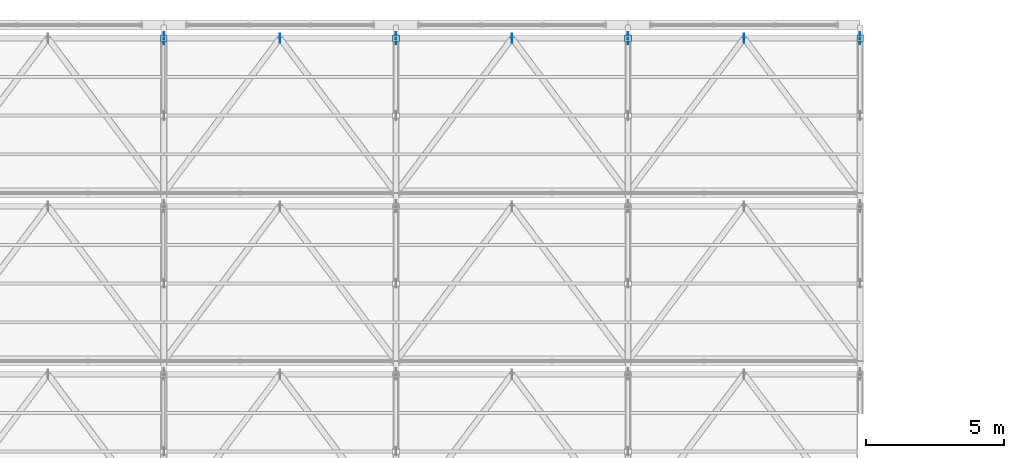
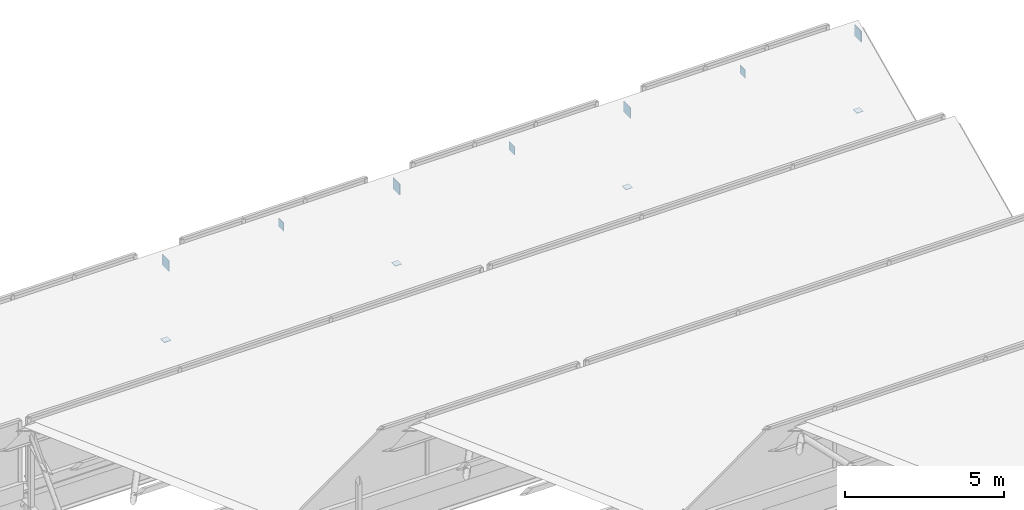
# One storey, part 189 of 217: 11 plates.
"""IFC4 building model written with IfcOpenShell, lengths in metres."""

from ifc_helpers import new_model, si_unit, direction, frame, origin, origin_2d, place, context, subcontext, project, spatial, rectangle, extrude, material, layer, layer_set, type_object, element, save


model = new_model("IFC4")

# Units and contexts
model_context = context("Model", 3, precision=1e-05, world=origin(), true_north=direction((0.0, 1.0)))
body_context = subcontext(model_context, "Body", "Model", "MODEL_VIEW")
ifc_project = project(units=[si_unit("LENGTHUNIT", "METRE"), si_unit("AREAUNIT", "SQUARE_METRE"), si_unit("VOLUMEUNIT", "CUBIC_METRE"), si_unit("PLANEANGLEUNIT", "RADIAN"), si_unit("MASSUNIT", "GRAM", prefix="KILO")], contexts=[model_context])

# Site, building, storey
site_placement = place(None, origin())
site = spatial("IfcSite", under=ifc_project, at=site_placement, CompositionType="ELEMENT")
building_placement = place(site_placement, origin())
building = spatial("IfcBuilding", under=site, at=building_placement, Name="Zuvorla Pavilion Media Centre", CompositionType="ELEMENT")
storey_placement = place(building_placement, frame((0.0, 0.0, 9.60009765625)))
storey = spatial("IfcBuildingStorey", under=building, at=storey_placement, Name="L02", CompositionType="ELEMENT", Elevation=9.60009765625)

# Plates
ifc_material = material(Name="Steel S355", Category="steel")
ifc_layer_1 = layer(ifc_material, 0.01611328125)
ifc_layer_set_1 = layer_set([ifc_layer_1], Name="Steel S355")
plate_type_1 = type_object("IfcPlateType", Name="PLT-CAP-16", PredefinedType="USERDEFINED", material=ifc_layer_set_1)
for number, where, z_axis, x_axis, name in (
    (1, (108.800048828125, 119.52001953125, -0.88818359375), (0.0, 0.0, 1.0), (1.0, 0.0, 0.0), "L02 cap plate CP16 372"),
    (2, (117.199951171875, 119.52001953125, -0.88818359375), (0.0, 0.0, 1.0), (1.0, 0.0, 0.0), "L02 cap plate CP16 375"),
    (3, (125.60009765625, 119.52001953125, -0.88818359375), (0.0, 0.0, 1.0), (1.0, 0.0, 0.0), "L02 cap plate CP16 378"),
    (4, (134.0, 119.52001953125, -0.88818359375), (0.0, 0.0, 1.0), (1.0, 0.0, 0.0), "L02 cap plate CP16 381"),
):
    element("IfcPlate", number, at=place(storey_placement, frame(where, z_axis=z_axis, x_axis=x_axis)), inside=storey, type_object=plate_type_1, Name=name, ObjectType="CAP_PLATE", PredefinedType="USERDEFINED", context=body_context, shape_type="SweptSolid", body=[
        extrude(rectangle(XDim=0.239990234375, YDim=0.239990234375, at=origin_2d()), origin(), (0.0, 0.0, 1.0), 0.01611328125),
    ])
ifc_layer_2 = layer(ifc_material, 0.02001953125)
ifc_layer_set_2 = layer_set([ifc_layer_2], Name="Steel S355")
plate_type_2 = type_object("IfcPlateType", Name="PLT-GUS-20", PredefinedType="USERDEFINED", material=ifc_layer_set_2)
for number, where, z_axis, x_axis, name in (
    (5, (113.0, 119.52001953125, 1.919921875), (0.0, 0.0, 1.0), (1.0, 0.0, 0.0), "L02 gusset plate GP20 389"),
    (6, (121.39990234375, 119.52001953125, 1.919921875), (0.0, 0.0, 1.0), (1.0, 0.0, 0.0), "L02 gusset plate GP20 390"),
    (7, (129.800048828125, 119.52001953125, 1.919921875), (0.0, 0.0, 1.0), (1.0, 0.0, 0.0), "L02 gusset plate GP20 391"),
):
    element("IfcPlate", number, at=place(storey_placement, frame(where, z_axis=z_axis, x_axis=x_axis)), inside=storey, type_object=plate_type_2, Name=name, ObjectType="GUSSET_PLATE", PredefinedType="USERDEFINED", context=body_context, shape_type="SweptSolid", body=[
        extrude(rectangle(XDim=0.02001953125, YDim=0.320068359375, at=origin_2d()), origin(), (0.0, 0.0, 1.0), 0.320068359375),
    ])
ifc_layer_3 = layer(ifc_material, 0.02490234375)
ifc_layer_set_3 = layer_set([ifc_layer_3], Name="Steel S355")
plate_type_3 = type_object("IfcPlateType", Name="PLT-GUS-25", PredefinedType="USERDEFINED", material=ifc_layer_set_3)
for number, where, z_axis, x_axis, name in (
    (8, (108.800048828125, 119.52001953125, 1.87353515625), (0.0, 0.0, 1.0), (1.0, 0.0, 0.0), "L02 gusset plate GP25 83"),
    (9, (117.199951171875, 119.52001953125, 1.87353515625), (0.0, 0.0, 1.0), (1.0, 0.0, 0.0), "L02 gusset plate GP25 85"),
    (10, (125.60009765625, 119.52001953125, 1.87353515625), (0.0, 0.0, 1.0), (1.0, 0.0, 0.0), "L02 gusset plate GP25 87"),
    (11, (134.0, 119.52001953125, 1.87353515625), (0.0, 0.0, 1.0), (1.0, 0.0, 0.0), "L02 gusset plate GP25 89"),
):
    element("IfcPlate", number, at=place(storey_placement, frame(where, z_axis=z_axis, x_axis=x_axis)), inside=storey, type_object=plate_type_3, Name=name, ObjectType="GUSSET_PLATE", PredefinedType="USERDEFINED", context=body_context, shape_type="SweptSolid", body=[
        extrude(rectangle(XDim=0.02490234375, YDim=0.419921875, at=origin_2d()), origin(), (0.0, 0.0, 1.0), 0.419921875),
    ])

save(model, "model.ifc")
